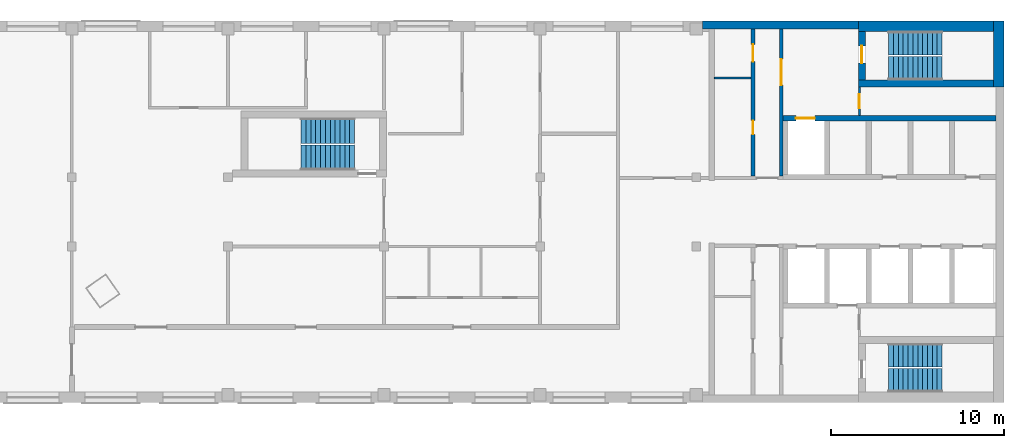
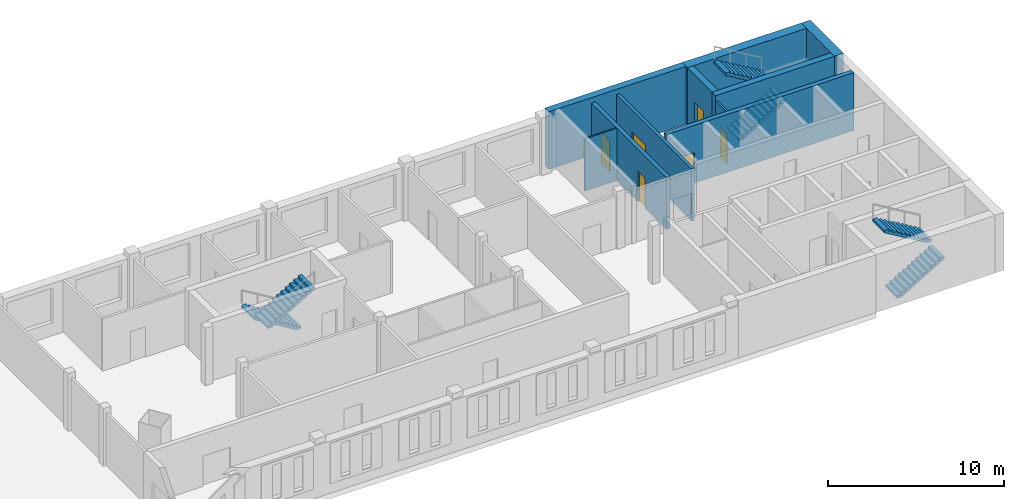
# One storey, part 4 of 5: 10 walls, 6 doors, 6 stair flights, 6 openings, 3 elements without a shape of their own.
"""IFC4 building model written with IfcOpenShell, lengths in metres."""

from ifc_helpers import new_model, si_unit, direction, frame, frame_2d, origin, place, context, subcontext, project, spatial, polyline, rectangle, outline, extrude, material, layer, layer_set, type_object, element, fill, aggregate, save


model = new_model("IFC4")

# Units and contexts
model_context = context("Model", 3, precision=1e-05, world=origin(), true_north=direction((0.0, 1.0)))
body_context = subcontext(model_context, "Body", "Model", "MODEL_VIEW")
ifc_project = project(units=[si_unit("LENGTHUNIT", "METRE"), si_unit("AREAUNIT", "SQUARE_METRE"), si_unit("VOLUMEUNIT", "CUBIC_METRE"), si_unit("PLANEANGLEUNIT", "RADIAN"), si_unit("MASSUNIT", "GRAM", prefix="KILO")], contexts=[model_context])

# Site, building, storey
site_placement = place(None, origin())
site = spatial("IfcSite", under=ifc_project, at=site_placement, CompositionType="ELEMENT")
building_placement = place(site_placement, origin())
building = spatial("IfcBuilding", under=site, at=building_placement, Name="Skarvind Civic Tower", CompositionType="ELEMENT")
storey_placement = place(building_placement, frame((0.0, 0.0, 261.5)))
storey = spatial("IfcBuildingStorey", under=building, at=storey_placement, Name="L62", CompositionType="ELEMENT", Elevation=261.5)

# Wall, opening, door
ifc_material_1 = material(Name="Fire-rated masonry partition", Category="masonry")
ifc_layer_1 = layer(ifc_material_1, 0.199951171875)
ifc_layer_set_1 = layer_set([ifc_layer_1], Name="Core enclosure wall 200")
wall_type_1 = type_object("IfcWallType", Name="Core enclosure wall 200", PredefinedType="PARTITIONING", material=ifc_layer_set_1)
wall_1_placement = place(storey_placement, frame((95.14990234375, 130.050048828125, 0.0), z_axis=(0.0, 0.0, 1.0), x_axis=(0.0, 1.0, 0.0)))
wall_1 = element("IfcWall", 1, at=wall_1_placement, inside=storey, type_object=wall_type_1, Name="Core wall C1", PredefinedType="PARTITIONING", context=body_context, shape_type="SweptSolid", body=[
    extrude(rectangle(XDim=8.5, YDim=0.199951171875, at=frame_2d((4.25, 0.0))), origin(), (0.0, 0.0, 1.0), 3.625),
])
opening_1_placement = place(wall_1_placement, frame((5.25, 0.0, 0.0)))
opening_1 = element("IfcOpeningElement", 2, at=opening_1_placement, cuts=wall_1, Name="Opening D-L62-C1-14", PredefinedType="OPENING", context=body_context, shape_type="SweptSolid", body=[
    extrude(rectangle(XDim=1.5, YDim=2.10009765625, at=frame_2d((0.75, 1.050048828125))), frame((0.0, 0.10986328125, 0.0), z_axis=(0.0, -1.0, 0.0), x_axis=(1.0, 0.0, 0.0)), (0.0, 0.0, 1.0), 0.219970703125),
])
ifc_material_2 = material(Name="Fire-rated steel door", Category="steel")
door_type_1 = type_object("IfcDoorType", Name="Fire door 1500", OperationType="NOTDEFINED", PredefinedType="DOOR", material=ifc_material_2)
door_1_placement = place(opening_1_placement, origin())
door_1 = element("IfcDoor", 3, at=door_1_placement, inside=storey, type_object=door_type_1, Name="Fire door", OperationType="DOUBLE_DOOR_SINGLE_SWING", OverallHeight=2.10009765625, OverallWidth=1.5, PredefinedType="DOOR", context=body_context, shape_type="SweptSolid", body=[
    extrude(rectangle(XDim=1.5, YDim=2.10009765625, at=frame_2d((0.75, 1.050048828125))), frame((0.0, 0.02490234375, 0.0), z_axis=(0.0, -1.0, 0.0), x_axis=(1.0, 0.0, 0.0)), (0.0, 0.0, 1.0), 0.050048828125),
])
fill(opening_1, door_1)

# Wall
ifc_material_3 = material(Name="Fire-rated plasterboard partition")
ifc_layer_2 = layer(ifc_material_3, 0.10009765625)
ifc_layer_set_2 = layer_set([ifc_layer_2], Name="Core partition wall 100")
wall_type_2 = type_object("IfcWallType", Name="Core partition wall 100", PredefinedType="PARTITIONING", material=ifc_layer_set_2)
wall_2_placement = place(storey_placement, frame((91.300048828125, 135.719970703125, 0.0), z_axis=(0.0, 0.0, 1.0), x_axis=(1.0, 0.0, 0.0)))
element("IfcWall", 4, at=wall_2_placement, inside=storey, type_object=wall_type_2, Name="Core wall C1", PredefinedType="PARTITIONING", context=body_context, shape_type="SweptSolid", body=[
    extrude(rectangle(XDim=2.099853515625, YDim=0.10009765625, at=frame_2d((1.0498046875, 0.0))), origin(), (0.0, 0.0, 1.0), 3.625),
])

# Wall, opening, door
ifc_material_4 = material(Name="Concrete C60", Category="concrete")
ifc_layer_3 = layer(ifc_material_4, 0.300048828125)
ifc_layer_set_3 = layer_set([ifc_layer_3], Name="Core wall 300 C60")
wall_type_3 = type_object("IfcWallType", Name="Core wall 300 C60", PredefinedType="SHEAR", material=ifc_layer_set_3)
wall_3_placement = place(storey_placement, frame((107.550048828125, 133.39990234375, 0.0), z_axis=(0.0, 0.0, 1.0), x_axis=(-1.0, 0.0, 0.0)))
wall_3 = element("IfcWall", 5, at=wall_3_placement, inside=storey, type_object=wall_type_3, Name="Core wall C1 south lift row back L62", PredefinedType="SHEAR", context=body_context, shape_type="SweptSolid", body=[
    extrude(rectangle(XDim=12.300048828125, YDim=0.300048828125, at=frame_2d((6.14990234375, 0.0))), origin(), (0.0, 0.0, 1.0), 4.0),
])
opening_2_placement = place(wall_3_placement, frame((10.449951171875, 0.0, 0.0)))
opening_2 = element("IfcOpeningElement", 6, at=opening_2_placement, cuts=wall_3, Name="Opening LD64110", PredefinedType="OPENING", context=body_context, shape_type="SweptSolid", body=[
    extrude(rectangle(XDim=1.10009765625, YDim=2.10009765625, at=frame_2d((0.550048828125, 1.050048828125))), frame((0.0, 0.159912109375, 0.0), z_axis=(0.0, -1.0, 0.0), x_axis=(1.0, 0.0, 0.0)), (0.0, 0.0, 1.0), 0.320068359375),
])
ifc_material_5 = material(Name="Stainless steel landing door", Category="steel")
door_type_2 = type_object("IfcDoorType", Name="Lift landing door 1100", OperationType="DOUBLE_DOOR_SLIDING", PredefinedType="DOOR", material=ifc_material_5)
door_2_placement = place(opening_2_placement, origin())
door_2 = element("IfcDoor", 7, at=door_2_placement, inside=storey, type_object=door_type_2, Name="Lift landing door", OperationType="DOUBLE_DOOR_SLIDING", OverallHeight=2.10009765625, OverallWidth=1.10009765625, PredefinedType="DOOR", context=body_context, shape_type="SweptSolid", body=[
    extrude(rectangle(XDim=1.10009765625, YDim=2.10009765625, at=frame_2d((0.550048828125, 1.050048828125))), frame((0.0, 0.02490234375, 0.0), z_axis=(0.0, -1.0, 0.0), x_axis=(1.0, 0.0, 0.0)), (0.0, 0.0, 1.0), 0.050048828125),
])
fill(opening_2, door_2)

# Wall
ifc_layer_4 = layer(ifc_material_4, 0.39990234375)
ifc_layer_set_4 = layer_set([ifc_layer_4], Name="Core wall 400 C60")
wall_type_4 = type_object("IfcWallType", Name="Core wall 400 C60", PredefinedType="SHEAR", material=ifc_layer_set_4)
wall_4_placement = place(storey_placement, frame((107.39990234375, 135.39990234375, 0.0), z_axis=(0.0, 0.0, 1.0), x_axis=(-1.0, 0.0, 0.0)))
element("IfcWall", 8, at=wall_4_placement, inside=storey, type_object=wall_type_4, Name="Core wall C1 south stair inner L62", PredefinedType="SHEAR", context=body_context, shape_type="SweptSolid", body=[
    extrude(rectangle(XDim=7.7998046875, YDim=0.39990234375, at=frame_2d((3.89990234375, 0.0))), origin(), (0.0, 0.0, 1.0), 4.0),
])

# Wall, opening, door
wall_5_placement = place(storey_placement, frame((99.800048828125, 138.39990234375, 0.0), z_axis=(0.0, 0.0, 1.0), x_axis=(0.0, -1.0, 0.0)))
wall_5 = element("IfcWall", 9, at=wall_5_placement, inside=storey, type_object=wall_type_4, Name="Core wall C1 south stair end L62", PredefinedType="SHEAR", context=body_context, shape_type="SweptSolid", body=[
    extrude(rectangle(XDim=2.7998046875, YDim=0.39990234375, at=frame_2d((1.39990234375, 0.0))), origin(), (0.0, 0.0, 1.0), 4.0),
])
opening_3_placement = place(wall_5_placement, frame((0.824951171875, 0.0, 0.0)))
opening_3 = element("IfcOpeningElement", 10, at=opening_3_placement, cuts=wall_5, Name="Opening D-L62-C1-15", PredefinedType="OPENING", context=body_context, shape_type="SweptSolid", body=[
    extrude(rectangle(XDim=1.0, YDim=2.10009765625, at=frame_2d((0.5, 1.050048828125))), frame((0.0, 0.2099609375, 0.0), z_axis=(0.0, -1.0, 0.0), x_axis=(1.0, 0.0, 0.0)), (0.0, 0.0, 1.0), 0.419921875),
])
door_type_3 = type_object("IfcDoorType", Name="Fire door 1000", OperationType="NOTDEFINED", PredefinedType="DOOR", material=ifc_material_2)
door_3_placement = place(opening_3_placement, origin())
door_3 = element("IfcDoor", 11, at=door_3_placement, inside=storey, type_object=door_type_3, Name="Fire door", OperationType="SINGLE_SWING_RIGHT", OverallHeight=2.10009765625, OverallWidth=1.0, PredefinedType="DOOR", context=body_context, shape_type="SweptSolid", body=[
    extrude(rectangle(XDim=1.0, YDim=2.10009765625, at=frame_2d((0.5, 1.050048828125))), frame((0.0, 0.02490234375, 0.0), z_axis=(0.0, -1.0, 0.0), x_axis=(1.0, 0.0, 0.0)), (0.0, 0.0, 1.0), 0.050048828125),
])
fill(opening_3, door_3)

# Walls
ifc_layer_5 = layer(ifc_material_4, 0.449951171875)
ifc_layer_set_5 = layer_set([ifc_layer_5], Name="Core wall 450 C60")
wall_type_5 = type_object("IfcWallType", Name="Core wall 450 C60", PredefinedType="SHEAR", material=ifc_layer_set_5)
wall_6_placement = place(storey_placement, frame((99.60009765625, 138.77490234375, 0.0), z_axis=(0.0, 0.0, 1.0), x_axis=(-1.0, 0.0, 0.0)))
element("IfcWall", 12, at=wall_6_placement, inside=storey, type_object=wall_type_5, Name="Core wall C1 south side L62", PredefinedType="SHEAR", context=body_context, shape_type="SweptSolid", body=[
    extrude(rectangle(XDim=9.0, YDim=0.449951171875, at=frame_2d((4.5, 0.0))), origin(), (0.0, 0.0, 1.0), 4.0),
])
ifc_layer_6 = layer(ifc_material_4, 0.60009765625)
ifc_layer_set_6 = layer_set([ifc_layer_6], Name="Core wall 600 C60")
wall_type_6 = type_object("IfcWallType", Name="Core wall 600 C60", PredefinedType="SHEAR", material=ifc_layer_set_6)
wall_7_placement = place(storey_placement, frame((107.699951171875, 139.0, 0.0), z_axis=(0.0, 0.0, 1.0), x_axis=(0.0, -1.0, 0.0)))
element("IfcWall", 13, at=wall_7_placement, inside=storey, type_object=wall_type_6, Name="Core wall C1 tip at the south stair L62", PredefinedType="SHEAR", context=body_context, shape_type="SweptSolid", body=[
    extrude(rectangle(XDim=3.800048828125, YDim=0.60009765625, at=frame_2d((1.89990234375, 0.0))), origin(), (0.0, 0.0, 1.0), 4.0),
])
wall_8_placement = place(storey_placement, frame((107.39990234375, 138.699951171875, 0.0), z_axis=(0.0, 0.0, 1.0), x_axis=(-1.0, 0.0, 0.0)))
element("IfcWall", 14, at=wall_8_placement, inside=storey, type_object=wall_type_6, Name="Core wall C1 south side at the stair L62", PredefinedType="SHEAR", context=body_context, shape_type="SweptSolid", body=[
    extrude(rectangle(XDim=7.7998046875, YDim=0.60009765625, at=frame_2d((3.89990234375, 0.0))), origin(), (0.0, 0.0, 1.0), 4.0),
])

# Wall, opening, door
ifc_layer_7 = layer(ifc_material_1, 0.125)
ifc_layer_set_7 = layer_set([ifc_layer_7], Name="Riser wall 125")
wall_type_7 = type_object("IfcWallType", Name="Riser wall 125", PredefinedType="PARTITIONING", material=ifc_layer_set_7)
wall_9_placement = place(storey_placement, frame((99.66259765625, 133.550048828125, 0.0), z_axis=(0.0, 0.0, 1.0), x_axis=(0.0, 1.0, 0.0)))
wall_9 = element("IfcWall", 15, at=wall_9_placement, inside=storey, type_object=wall_type_7, Name="Core wall C1", PredefinedType="PARTITIONING", context=body_context, shape_type="SweptSolid", body=[
    extrude(rectangle(XDim=1.64990234375, YDim=0.125, at=frame_2d((0.824951171875, 0.0))), origin(), (0.0, 0.0, 1.0), 3.625),
])
opening_4_placement = place(wall_9_placement, frame((0.425048828125, 0.0, 0.0)))
opening_4 = element("IfcOpeningElement", 16, at=opening_4_placement, cuts=wall_9, Name="Opening D-L62-C1-16", PredefinedType="OPENING", context=body_context, shape_type="SweptSolid", body=[
    extrude(rectangle(XDim=0.800048828125, YDim=2.10009765625, at=frame_2d((0.39990234375, 1.050048828125))), frame((0.0, 0.072509765625, 0.0), z_axis=(0.0, -1.0, 0.0), x_axis=(1.0, 0.0, 0.0)), (0.0, 0.0, 1.0), 0.14501953125),
])
door_type_4 = type_object("IfcDoorType", Name="Core riser door 800", OperationType="NOTDEFINED", PredefinedType="DOOR", material=ifc_material_2)
door_4_placement = place(opening_4_placement, origin())
door_4 = element("IfcDoor", 17, at=door_4_placement, inside=storey, type_object=door_type_4, Name="Riser door", OperationType="SINGLE_SWING_LEFT", OverallHeight=2.10009765625, OverallWidth=0.800048828125, PredefinedType="DOOR", context=body_context, shape_type="SweptSolid", body=[
    extrude(rectangle(XDim=0.800048828125, YDim=2.10009765625, at=frame_2d((0.39990234375, 1.050048828125))), frame((0.0, 0.02490234375, 0.0), z_axis=(0.0, -1.0, 0.0), x_axis=(1.0, 0.0, 0.0)), (0.0, 0.0, 1.0), 0.050048828125),
])
fill(opening_4, door_4)

# Wall, openings, doors
ifc_layer_8 = layer(ifc_material_1, 0.25)
ifc_layer_set_8 = layer_set([ifc_layer_8], Name="Service block wall 250")
wall_type_8 = type_object("IfcWallType", Name="Service block wall 250", PredefinedType="PARTITIONING", material=ifc_layer_set_8)
wall_10_placement = place(storey_placement, frame((93.52490234375, 130.050048828125, 0.0), z_axis=(0.0, 0.0, 1.0), x_axis=(0.0, 1.0, 0.0)))
wall_10 = element("IfcWall", 18, at=wall_10_placement, inside=storey, type_object=wall_type_8, Name="Core wall C1", PredefinedType="PARTITIONING", context=body_context, shape_type="SweptSolid", body=[
    extrude(rectangle(XDim=8.5, YDim=0.25, at=frame_2d((4.25, 0.0))), origin(), (0.0, 0.0, 1.0), 3.625),
])
opening_5_placement = place(wall_10_placement, frame((2.409912109375, 0.0, 0.0)))
opening_5 = element("IfcOpeningElement", 19, at=opening_5_placement, cuts=wall_10, Name="Opening D-L62-C1-17", PredefinedType="OPENING", context=body_context, shape_type="SweptSolid", body=[
    extrude(rectangle(XDim=0.800048828125, YDim=2.10009765625, at=frame_2d((0.39990234375, 1.050048828125))), frame((0.0, 0.135009765625, 0.0), z_axis=(0.0, -1.0, 0.0), x_axis=(1.0, 0.0, 0.0)), (0.0, 0.0, 1.0), 0.27001953125),
])
opening_6_placement = place(wall_10_placement, frame((6.610107421875, 0.0, 0.0)))
opening_6 = element("IfcOpeningElement", 20, at=opening_6_placement, cuts=wall_10, Name="Opening D-L62-C1-18", PredefinedType="OPENING", context=body_context, shape_type="SweptSolid", body=[
    extrude(rectangle(XDim=1.0, YDim=2.10009765625, at=frame_2d((0.5, 1.050048828125))), frame((0.0, 0.135009765625, 0.0), z_axis=(0.0, -1.0, 0.0), x_axis=(1.0, 0.0, 0.0)), (0.0, 0.0, 1.0), 0.27001953125),
])
door_5_placement = place(opening_5_placement, origin())
door_5 = element("IfcDoor", 21, at=door_5_placement, inside=storey, type_object=door_type_4, Name="Riser door", OperationType="SINGLE_SWING_RIGHT", OverallHeight=2.10009765625, OverallWidth=0.800048828125, PredefinedType="DOOR", context=body_context, shape_type="SweptSolid", body=[
    extrude(rectangle(XDim=0.800048828125, YDim=2.10009765625, at=frame_2d((0.39990234375, 1.050048828125))), frame((0.0, 0.02490234375, 0.0), z_axis=(0.0, -1.0, 0.0), x_axis=(1.0, 0.0, 0.0)), (0.0, 0.0, 1.0), 0.050048828125),
])
fill(opening_5, door_5)
door_6_placement = place(opening_6_placement, origin())
door_6 = element("IfcDoor", 22, at=door_6_placement, inside=storey, type_object=door_type_3, Name="Fire door", OperationType="SINGLE_SWING_LEFT", OverallHeight=2.10009765625, OverallWidth=1.0, PredefinedType="DOOR", context=body_context, shape_type="SweptSolid", body=[
    extrude(rectangle(XDim=1.0, YDim=2.10009765625, at=frame_2d((0.5, 1.050048828125))), frame((0.0, 0.02490234375, 0.0), z_axis=(0.0, -1.0, 0.0), x_axis=(1.0, 0.0, 0.0)), (0.0, 0.0, 1.0), 0.050048828125),
])
fill(opening_6, door_6)

# Stair, stair flights
ifc_material_6 = material(Name="Concrete C40/50", Category="concrete")
stair_type_1 = type_object("IfcStairType", Name="Exit stair 1450, half-turn, concrete", PredefinedType="HALF_TURN_STAIR", material=ifc_material_6)
stair_1_placement = place(storey_placement, origin())
stair_1 = element("IfcStair", 23, at=stair_1_placement, inside=storey, type_object=stair_type_1, Name="Exit stair CM", PredefinedType="HALF_TURN_STAIR")
stair_flight_type_1 = type_object("IfcStairFlightType", Name="Stair flight 1450, concrete", PredefinedType="STRAIGHT", material=ifc_material_6)
stair_flight_1_placement = place(storey_placement, frame((70.550048828125, 132.675048828125, 0.0), z_axis=(0.0, 0.0, 1.0), x_axis=(-1.0, 0.0, 0.0)))
stair_flight_1 = element("IfcStairFlight", 24, at=stair_flight_1_placement, type_object=stair_flight_type_1, Name="ST-CM flight 1", NumberOfRisers=12, NumberOfTreads=11, PredefinedType="STRAIGHT", RiserHeight=0.166666667, TreadLength=0.28, context=body_context, shape_type="SweptSolid", body=[
    extrude(outline(polyline([(0.0, 0.0), (0.0, 0.166748046875), (0.280029296875, 0.166748046875), (0.280029296875, 0.333251953125), (0.56005859375, 0.333251953125), (0.56005859375, 0.5), (0.840087890625, 0.5), (0.840087890625, 0.666748046875), (1.1201171875, 0.666748046875), (1.1201171875, 0.833251953125), (1.39990234375, 0.833251953125), (1.39990234375, 1.0), (1.679931640625, 1.0), (1.679931640625, 1.166748046875), (1.9599609375, 1.166748046875), (1.9599609375, 1.333251953125), (2.239990234375, 1.333251953125), (2.239990234375, 1.5), (2.52001953125, 1.5), (2.52001953125, 1.666748046875), (2.800048828125, 1.666748046875), (2.800048828125, 1.833251953125), (3.080078125, 1.833251953125), (3.080078125, 2.0), (3.080078125, 1.658935546875), (0.29296875, 0.0), (0.0, 0.0)])), frame((0.0, 0.72509765625, 0.0), z_axis=(0.0, -1.0, 0.0), x_axis=(1.0, 0.0, 0.0)), (0.0, 0.0, 1.0), 1.449951171875),
])
stair_flight_2_placement = place(storey_placement, frame((67.469970703125, 131.125, 2.0), z_axis=(0.0, 0.0, 1.0), x_axis=(1.0, 0.0, 0.0)))
stair_flight_2 = element("IfcStairFlight", 25, at=stair_flight_2_placement, type_object=stair_flight_type_1, Name="ST-CM flight 2", NumberOfRisers=12, NumberOfTreads=11, PredefinedType="STRAIGHT", RiserHeight=0.166666667, TreadLength=0.28, context=body_context, shape_type="SweptSolid", body=[
    extrude(outline(polyline([(0.0, 0.0), (0.0, 0.166748046875), (0.280029296875, 0.166748046875), (0.280029296875, 0.333251953125), (0.56005859375, 0.333251953125), (0.56005859375, 0.5), (0.840087890625, 0.5), (0.840087890625, 0.666748046875), (1.1201171875, 0.666748046875), (1.1201171875, 0.833251953125), (1.39990234375, 0.833251953125), (1.39990234375, 1.0), (1.679931640625, 1.0), (1.679931640625, 1.166748046875), (1.9599609375, 1.166748046875), (1.9599609375, 1.333251953125), (2.239990234375, 1.333251953125), (2.239990234375, 1.5), (2.52001953125, 1.5), (2.52001953125, 1.666748046875), (2.800048828125, 1.666748046875), (2.800048828125, 1.833251953125), (3.080078125, 1.833251953125), (3.080078125, 2.0), (3.080078125, 1.658935546875), (0.29296875, 0.0), (0.0, 0.0)])), frame((0.0, 0.72509765625, 0.0), z_axis=(0.0, -1.0, 0.0), x_axis=(1.0, 0.0, 0.0)), (0.0, 0.0, 1.0), 1.449951171875),
])
aggregate(stair_1, [stair_flight_1, stair_flight_2])

stair_type_2 = type_object("IfcStairType", Name="Exit stair, half-turn, concrete", PredefinedType="HALF_TURN_STAIR", material=ifc_material_6)
stair_2_placement = place(storey_placement, origin())
stair_2 = element("IfcStair", 26, at=stair_2_placement, inside=storey, type_object=stair_type_2, Name="Exit stair C1S", PredefinedType="HALF_TURN_STAIR")
stair_flight_type_2 = type_object("IfcStairFlightType", Name="Stair flight, concrete", PredefinedType="STRAIGHT", material=ifc_material_6)
stair_flight_3_placement = place(storey_placement, frame((101.35009765625, 136.27490234375, 0.0), z_axis=(0.0, 0.0, 1.0), x_axis=(1.0, 0.0, 0.0)))
stair_flight_3 = element("IfcStairFlight", 27, at=stair_flight_3_placement, type_object=stair_flight_type_2, Name="ST-C1S flight 1", NumberOfRisers=12, NumberOfTreads=11, PredefinedType="STRAIGHT", RiserHeight=0.166666667, TreadLength=0.28, context=body_context, shape_type="SweptSolid", body=[
    extrude(outline(polyline([(0.0, 0.0), (0.0, 0.166748046875), (0.280029296875, 0.166748046875), (0.280029296875, 0.333251953125), (0.56005859375, 0.333251953125), (0.56005859375, 0.5), (0.840087890625, 0.5), (0.840087890625, 0.666748046875), (1.1201171875, 0.666748046875), (1.1201171875, 0.833251953125), (1.39990234375, 0.833251953125), (1.39990234375, 1.0), (1.679931640625, 1.0), (1.679931640625, 1.166748046875), (1.9599609375, 1.166748046875), (1.9599609375, 1.333251953125), (2.239990234375, 1.333251953125), (2.239990234375, 1.5), (2.52001953125, 1.5), (2.52001953125, 1.666748046875), (2.800048828125, 1.666748046875), (2.800048828125, 1.833251953125), (3.080078125, 1.833251953125), (3.080078125, 2.0), (3.080078125, 1.658935546875), (0.29296875, 0.0), (0.0, 0.0)])), frame((0.0, 0.675048828125, 0.0), z_axis=(0.0, -1.0, 0.0), x_axis=(1.0, 0.0, 0.0)), (0.0, 0.0, 1.0), 1.35009765625),
])
stair_flight_4_placement = place(storey_placement, frame((104.429931640625, 137.72509765625, 2.0), z_axis=(0.0, 0.0, 1.0), x_axis=(-1.0, 0.0, 0.0)))
stair_flight_4 = element("IfcStairFlight", 28, at=stair_flight_4_placement, type_object=stair_flight_type_2, Name="ST-C1S flight 2", NumberOfRisers=12, NumberOfTreads=11, PredefinedType="STRAIGHT", RiserHeight=0.166666667, TreadLength=0.28, context=body_context, shape_type="SweptSolid", body=[
    extrude(outline(polyline([(0.0, 0.0), (0.0, 0.166748046875), (0.280029296875, 0.166748046875), (0.280029296875, 0.333251953125), (0.56005859375, 0.333251953125), (0.56005859375, 0.5), (0.840087890625, 0.5), (0.840087890625, 0.666748046875), (1.1201171875, 0.666748046875), (1.1201171875, 0.833251953125), (1.39990234375, 0.833251953125), (1.39990234375, 1.0), (1.679931640625, 1.0), (1.679931640625, 1.166748046875), (1.9599609375, 1.166748046875), (1.9599609375, 1.333251953125), (2.239990234375, 1.333251953125), (2.239990234375, 1.5), (2.52001953125, 1.5), (2.52001953125, 1.666748046875), (2.800048828125, 1.666748046875), (2.800048828125, 1.833251953125), (3.080078125, 1.833251953125), (3.080078125, 2.0), (3.080078125, 1.658935546875), (0.29296875, 0.0), (0.0, 0.0)])), frame((0.0, 0.675048828125, 0.0), z_axis=(0.0, -1.0, 0.0), x_axis=(1.0, 0.0, 0.0)), (0.0, 0.0, 1.0), 1.35009765625),
])
aggregate(stair_2, [stair_flight_3, stair_flight_4])

stair_3_placement = place(storey_placement, origin())
stair_3 = element("IfcStair", 29, at=stair_3_placement, inside=storey, type_object=stair_type_2, Name="Exit stair C1N", PredefinedType="HALF_TURN_STAIR")
stair_flight_5_placement = place(storey_placement, frame((101.35009765625, 118.27490234375, 0.0), z_axis=(0.0, 0.0, 1.0), x_axis=(1.0, 0.0, 0.0)))
stair_flight_5 = element("IfcStairFlight", 30, at=stair_flight_5_placement, type_object=stair_flight_type_2, Name="ST-C1N flight 1", NumberOfRisers=12, NumberOfTreads=11, PredefinedType="STRAIGHT", RiserHeight=0.166666667, TreadLength=0.28, context=body_context, shape_type="SweptSolid", body=[
    extrude(outline(polyline([(0.0, 0.0), (0.0, 0.166748046875), (0.280029296875, 0.166748046875), (0.280029296875, 0.333251953125), (0.56005859375, 0.333251953125), (0.56005859375, 0.5), (0.840087890625, 0.5), (0.840087890625, 0.666748046875), (1.1201171875, 0.666748046875), (1.1201171875, 0.833251953125), (1.39990234375, 0.833251953125), (1.39990234375, 1.0), (1.679931640625, 1.0), (1.679931640625, 1.166748046875), (1.9599609375, 1.166748046875), (1.9599609375, 1.333251953125), (2.239990234375, 1.333251953125), (2.239990234375, 1.5), (2.52001953125, 1.5), (2.52001953125, 1.666748046875), (2.800048828125, 1.666748046875), (2.800048828125, 1.833251953125), (3.080078125, 1.833251953125), (3.080078125, 2.0), (3.080078125, 1.658935546875), (0.29296875, 0.0), (0.0, 0.0)])), frame((0.0, 0.675048828125, 0.0), z_axis=(0.0, -1.0, 0.0), x_axis=(1.0, 0.0, 0.0)), (0.0, 0.0, 1.0), 1.35009765625),
])
stair_flight_6_placement = place(storey_placement, frame((104.429931640625, 119.72509765625, 2.0), z_axis=(0.0, 0.0, 1.0), x_axis=(-1.0, 0.0, 0.0)))
stair_flight_6 = element("IfcStairFlight", 31, at=stair_flight_6_placement, type_object=stair_flight_type_2, Name="ST-C1N flight 2", NumberOfRisers=12, NumberOfTreads=11, PredefinedType="STRAIGHT", RiserHeight=0.166666667, TreadLength=0.28, context=body_context, shape_type="SweptSolid", body=[
    extrude(outline(polyline([(0.0, 0.0), (0.0, 0.166748046875), (0.280029296875, 0.166748046875), (0.280029296875, 0.333251953125), (0.56005859375, 0.333251953125), (0.56005859375, 0.5), (0.840087890625, 0.5), (0.840087890625, 0.666748046875), (1.1201171875, 0.666748046875), (1.1201171875, 0.833251953125), (1.39990234375, 0.833251953125), (1.39990234375, 1.0), (1.679931640625, 1.0), (1.679931640625, 1.166748046875), (1.9599609375, 1.166748046875), (1.9599609375, 1.333251953125), (2.239990234375, 1.333251953125), (2.239990234375, 1.5), (2.52001953125, 1.5), (2.52001953125, 1.666748046875), (2.800048828125, 1.666748046875), (2.800048828125, 1.833251953125), (3.080078125, 1.833251953125), (3.080078125, 2.0), (3.080078125, 1.658935546875), (0.29296875, 0.0), (0.0, 0.0)])), frame((0.0, 0.675048828125, 0.0), z_axis=(0.0, -1.0, 0.0), x_axis=(1.0, 0.0, 0.0)), (0.0, 0.0, 1.0), 1.35009765625),
])
aggregate(stair_3, [stair_flight_5, stair_flight_6])

save(model, "model.ifc")
